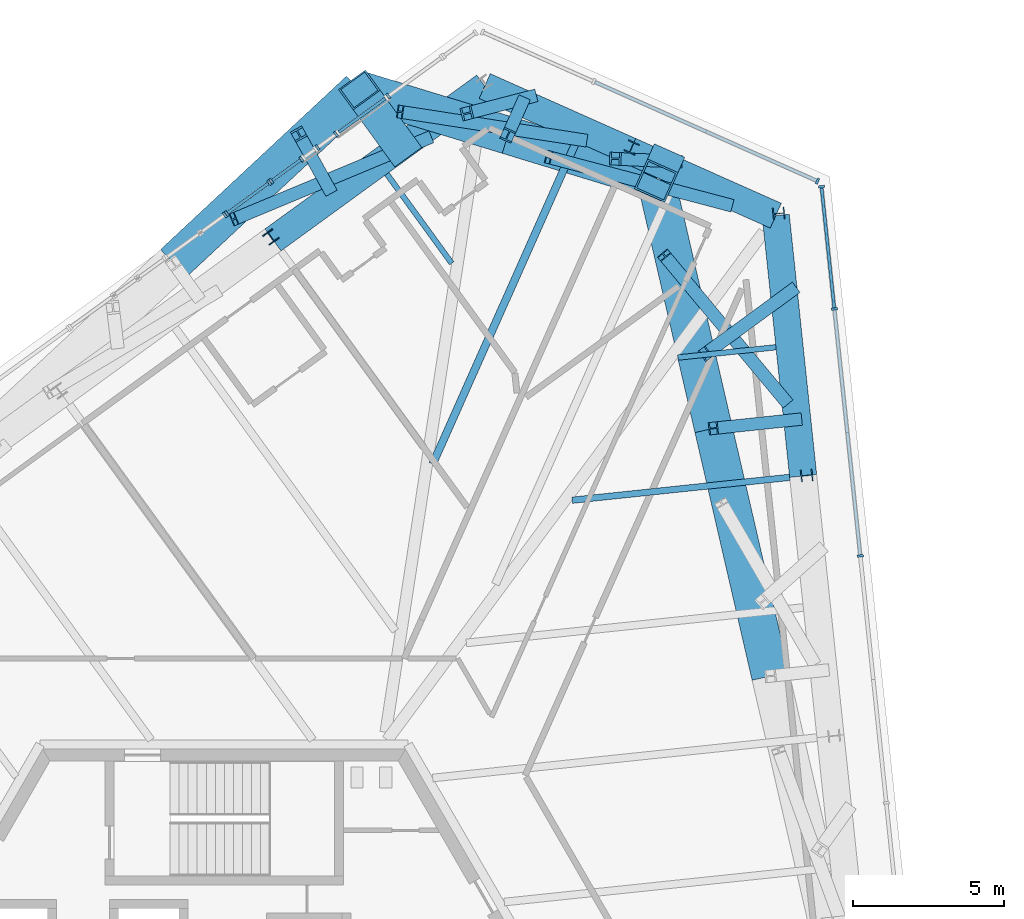
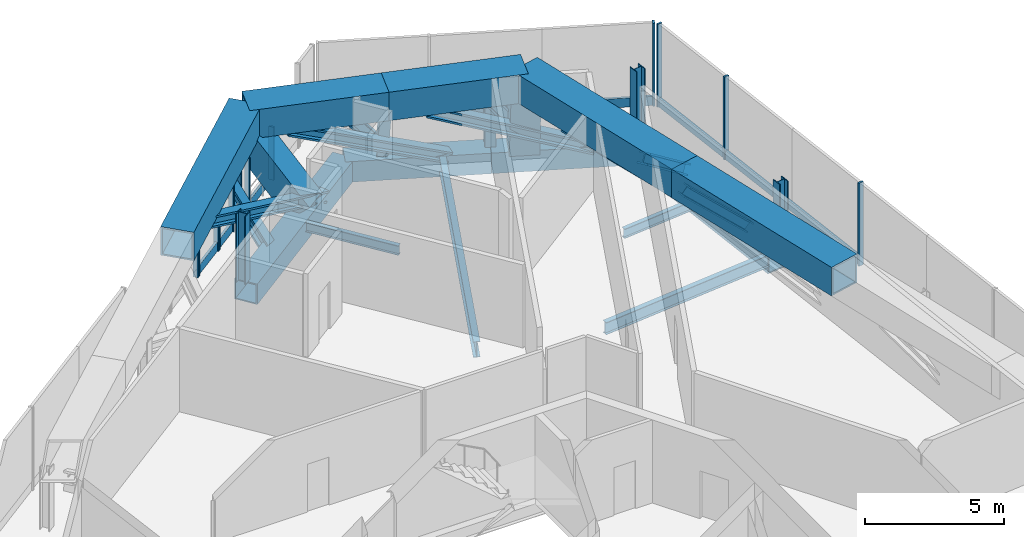
# One storey, part 8 of 30: 43 members, 4 beams, 8 elements without a shape of their own.
"""IFC4 building model written with IfcOpenShell, lengths in metres."""

from ifc_helpers import new_model, si_unit, direction, frame, origin, origin_2d, place, context, subcontext, project, spatial, rectangle, hollow_rectangle, i_section, extrude, source, transform, mapped, material, material_profile, profile_set, type_object, element, aggregate, save


model = new_model("IFC4")

# Units and contexts
model_context = context("Model", 3, precision=1e-05, world=origin(), true_north=direction((0.0, 1.0)))
body_context = subcontext(model_context, "Body", "Model", "MODEL_VIEW")
ifc_project = project(units=[si_unit("LENGTHUNIT", "METRE"), si_unit("AREAUNIT", "SQUARE_METRE"), si_unit("VOLUMEUNIT", "CUBIC_METRE"), si_unit("PLANEANGLEUNIT", "RADIAN"), si_unit("MASSUNIT", "GRAM", prefix="KILO")], contexts=[model_context])

# Site, building, storey
site_placement = place(None, origin())
site = spatial("IfcSite", under=ifc_project, at=site_placement, CompositionType="ELEMENT")
building_placement = place(site_placement, origin())
building = spatial("IfcBuilding", under=site, at=building_placement, Name="Triune Harvest Tower", CompositionType="ELEMENT")
storey_placement = place(building_placement, frame((0.0, 0.0, 94.5)))
storey = spatial("IfcBuildingStorey", under=building, at=storey_placement, Name="L23", CompositionType="ELEMENT", Elevation=94.5)

# Beams
ifc_material_1 = material(Name="Steel ASTM A992 Gr 50", Category="steel")
ifc_material_profile_1 = material_profile(ifc_material_1, i_section(OverallWidth=0.180908203125, OverallDepth=0.41650390625, WebThickness=0.010986328125, FlangeThickness=0.01806640625, at=origin_2d()), Name="W16x57")
ifc_profile_set_1 = profile_set([ifc_material_profile_1], Name="Steel ASTM A992 Gr 50")
beam_type_1 = type_object("IfcBeamType", Name="JT-1 Floor joist W16x57", PredefinedType="JOIST", material=ifc_profile_set_1)
beam_1_placement = place(storey_placement, frame((5.386474609375, 29.428955078125, -0.458251953125), z_axis=(0.587750374328, -0.809042333551, 0.0), x_axis=(0.809042333551, 0.587750374328, 0.0)))
element("IfcBeam", 1, at=beam_1_placement, inside=storey, type_object=beam_type_1, Name="beam/L23/JT14", PredefinedType="JOIST", context=body_context, shape_type="SweptSolid", body=[
    extrude(i_section(OverallWidth=0.180908203125, OverallDepth=0.41650390625, WebThickness=0.010986328125, FlangeThickness=0.01806640625, at=origin_2d()), origin(), (0.0, 0.0, 1.0), 3.65283203125),
])
ifc_material_2 = material(Name="Steel ASTM A992 Gr 50", Category="steel")
ifc_material_profile_2 = material_profile(ifc_material_2, i_section(OverallWidth=0.253662109375, OverallDepth=0.683349609375, WebThickness=0.012451171875, FlangeThickness=0.01904296875, at=origin_2d()), Name="W27x94")
ifc_profile_set_2 = profile_set([ifc_material_profile_2], Name="Steel ASTM A992 Gr 50")
beam_type_2 = type_object("IfcBeamType", Name="JT-4 Floor joist W27x94", PredefinedType="JOIST", material=ifc_profile_set_2)
beam_2_placement = place(storey_placement, frame((11.654296875, 30.497802734375, -0.591552734375), z_axis=(-0.406716321751, -0.913554505008, 0.0), x_axis=(0.913554505008, -0.406716321751, 0.0)))
element("IfcBeam", 2, at=beam_2_placement, inside=storey, type_object=beam_type_2, Name="beam/L23/JT13", PredefinedType="JOIST", context=body_context, shape_type="SweptSolid", body=[
    extrude(i_section(OverallWidth=0.253662109375, OverallDepth=0.683349609375, WebThickness=0.012451171875, FlangeThickness=0.01904296875, at=origin_2d()), origin(), (0.0, 0.0, 1.0), 11.68017578125),
])

# Member
ifc_material_3 = material(Name="Steel ASTM A572 Gr 50", Category="steel")
ifc_material_profile_3 = material_profile(ifc_material_3, hollow_rectangle(XDim=0.89990234375, YDim=0.89990234375, WallThickness=0.050048828125, at=origin_2d()), Name="Box 900x900x50")
ifc_profile_set_3 = profile_set([ifc_material_profile_3], Name="Steel ASTM A572 Gr 50")
member_type_1 = type_object("IfcMemberType", Name="TC-2 Belt truss chord Box 900x900x50", PredefinedType="CHORD", material=ifc_profile_set_3)
member_1_placement = place(storey_placement, frame((18.2607421875, 28.049072265625, -0.699951171875), z_axis=(-0.913540256506, 0.406748324819, 0.0), x_axis=(-0.406748324819, -0.913540256506, 0.0)))
element("IfcMember", 3, at=member_1_placement, inside=storey, type_object=member_type_1, Name="truss/L23/TCB7", PredefinedType="CHORD", context=body_context, shape_type="SweptSolid", body=[
    extrude(hollow_rectangle(XDim=0.89990234375, YDim=0.89990234375, WallThickness=0.050048828125, at=origin_2d()), origin(), (0.0, 0.0, 1.0), 5.273681640625),
])

# Curtain wall, member
ifc_material_4 = material(Name="Aluminium bronze anodised", Category="aluminium")
curtain_wall_type = type_object("IfcCurtainWallType", Name="CW-5 Plant louvre wall", PredefinedType="NOTDEFINED", material=ifc_material_4)
curtain_wall_1_placement = place(storey_placement, origin())
curtain_wall_1 = element("IfcCurtainWall", 4, at=curtain_wall_1_placement, inside=storey, type_object=curtain_wall_type, Name="CW-5 B2-F3 L23 run 201")
ifc_material_5 = material(Name="Aluminium bronze anodised", Category="aluminium")
ifc_material_profile_4 = material_profile(ifc_material_5, rectangle(XDim=0.10009765625, YDim=0.39990234375, at=origin_2d()), Name="TR-5 transom 100 x 400")
ifc_profile_set_4 = profile_set([ifc_material_profile_4], Name="Aluminium bronze anodised")
member_type_2 = type_object("IfcMemberType", Name="TR-5 transom 100 x 400", PredefinedType="USERDEFINED", material=ifc_profile_set_4)
member_2_placement = place(storey_placement, frame((5.335693359375, 31.9326171875, 0.199951171875), z_axis=(-0.80906428775, -0.587720153039, 0.0), x_axis=(0.587720153039, -0.80906428775, 0.0)))
member_2 = element("IfcMember", 5, at=member_2_placement, type_object=member_type_2, Name="CW-5 transom B2-F3 201.1", ObjectType="TRANSOM", PredefinedType="USERDEFINED", context=body_context, shape_type="SweptSolid", body=[
    extrude(rectangle(XDim=0.10009765625, YDim=0.39990234375, at=origin_2d()), origin(), (0.0, 0.0, 1.0), 1.897216796875),
])
aggregate(curtain_wall_1, [member_2])

curtain_wall_2_placement = place(storey_placement, origin())
curtain_wall_2 = element("IfcCurtainWall", 6, at=curtain_wall_2_placement, inside=storey, type_object=curtain_wall_type, Name="CW-5 B2-F3 L23 run 501")
member_3_placement = place(storey_placement, frame((2.530517578125, 29.89453125, 0.199951171875), z_axis=(-0.809000685585, -0.587807698762, 0.0), x_axis=(0.587807698762, -0.809000685585, 0.0)))
member_3 = element("IfcMember", 7, at=member_3_placement, type_object=member_type_2, Name="CW-5 transom B2-F3 501.1", ObjectType="TRANSOM", PredefinedType="USERDEFINED", context=body_context, shape_type="SweptSolid", body=[
    extrude(rectangle(XDim=0.10009765625, YDim=0.39990234375, at=origin_2d()), origin(), (0.0, 0.0, 1.0), 1.15673828125),
])

curtain_wall_3_placement = place(storey_placement, origin())
curtain_wall_3 = element("IfcCurtainWall", 8, at=curtain_wall_3_placement, inside=storey, type_object=curtain_wall_type, Name="CW-5 B2-F3 L23 run 601")
member_4_placement = place(storey_placement, frame((1.46533203125, 29.12060546875, 0.199951171875), z_axis=(-0.809028426751, -0.587769516655, 0.0), x_axis=(0.587769516655, -0.809028426751, 0.0)))
member_4 = element("IfcMember", 9, at=member_4_placement, type_object=member_type_2, Name="CW-5 transom B2-F3 601.1", ObjectType="TRANSOM", PredefinedType="USERDEFINED", context=body_context, shape_type="SweptSolid", body=[
    extrude(rectangle(XDim=0.10009765625, YDim=0.39990234375, at=origin_2d()), origin(), (0.0, 0.0, 1.0), 1.66064453125),
])

# Beams
ifc_material_6 = material(Name="Steel ASTM A992 Gr 50", Category="steel")
ifc_material_profile_5 = material_profile(ifc_material_6, i_section(OverallWidth=0.2099609375, OverallDepth=0.535888671875, WebThickness=0.010986328125, FlangeThickness=0.017333984375, at=origin_2d()), Name="W21x68")
ifc_profile_set_5 = profile_set([ifc_material_profile_5], Name="Steel ASTM A992 Gr 50")
beam_type_3 = type_object("IfcBeamType", Name="JT-2 Floor joist W21x68", PredefinedType="JOIST", material=ifc_profile_set_5)
shared_shape_1 = source(origin(), body_context, "Body", "SweptSolid", [
    extrude(i_section(OverallWidth=0.2099609375, OverallDepth=0.535888671875, WebThickness=0.010986328125, FlangeThickness=0.017333984375, at=origin_2d()), origin(), (0.0, 0.0, 1.0), 7.23876953125),
])
beam_3_placement = place(storey_placement, frame((18.718505859375, 19.38720703125, -0.51806640625), z_axis=(-0.994522995125, -0.10451799925, 0.0), x_axis=(0.10451799925, -0.994522995125, 0.0)))
element("IfcBeam", 10, at=beam_3_placement, inside=storey, type_object=beam_type_3, Name="beam/L23/JT10", PredefinedType="JOIST", context=body_context, shape_type="MappedRepresentation", body=[
    mapped(shared_shape_1, transform((0.0, 0.0, 0.0), scale=1.0)),
])
shared_shape_2 = source(origin(), body_context, "Body", "SweptSolid", [
    extrude(i_section(OverallWidth=0.180908203125, OverallDepth=0.41650390625, WebThickness=0.010986328125, FlangeThickness=0.01806640625, at=origin_2d()), origin(), (0.0, 0.0, 1.0), 3.264404296875),
])
beam_4_placement = place(storey_placement, frame((18.265869140625, 23.694580078125, -0.458251953125), z_axis=(-0.994527150692, -0.104478450107, 0.0), x_axis=(0.104478450107, -0.994527150692, 0.0)))
element("IfcBeam", 11, at=beam_4_placement, inside=storey, type_object=beam_type_1, Name="beam/L23/JT11", PredefinedType="JOIST", context=body_context, shape_type="MappedRepresentation", body=[
    mapped(shared_shape_2, transform((0.0, 0.0, 0.0), scale=1.0)),
])

# Members
ifc_material_7 = material(Name="Steel ASTM A992 Gr 50", Category="steel")
ifc_material_profile_6 = material_profile(ifc_material_7, i_section(OverallWidth=0.398681640625, OverallDepth=0.393798828125, WebThickness=0.022705078125, FlangeThickness=0.03662109375, at=origin_2d()), Name="W14x193")
ifc_profile_set_6 = profile_set([ifc_material_profile_6], Name="Steel ASTM A992 Gr 50")
member_type_3 = type_object("IfcMemberType", Name="WP-2 Roof edge post W14x193", PredefinedType="POST", material=ifc_profile_set_6)
shared_shape_3 = source(origin(), body_context, "Body", "SweptSolid", [
    extrude(i_section(OverallWidth=0.398681640625, OverallDepth=0.393798828125, WebThickness=0.022705078125, FlangeThickness=0.03662109375, at=origin_2d()), origin(), (0.0, 0.0, 1.0), 2.9755859375),
])
for number, where, z_axis, x_axis, name in (
    (12, (19.285400390625, 19.44677734375, -0.25), (0.0, 0.0, 1.0), (-0.104526727499, 0.994522077803, 0.0), "post/L23/W5"),
    (13, (18.35791015625, 28.11962890625, -0.25), (0.0, 0.0, 1.0), (-0.104526727499, 0.994522077803, 0.0), "post/L23/W6"),
    (14, (13.491943359375, 30.3037109375, -0.25), (0.0, 0.0, 1.0), (-0.913546877416, 0.406733454198, 0.0), "post/L23/W7"),
    (15, (1.54736328125, 27.344482421875, -0.25), (0.0, 0.0, 1.0), (-0.809016994375, -0.587785252292, 0.0), "post/L23/W9"),
):
    element("IfcMember", number, at=place(storey_placement, frame(where, z_axis=z_axis, x_axis=x_axis)), inside=storey, type_object=member_type_3, Name=name, PredefinedType="POST", context=body_context, shape_type="MappedRepresentation", body=[
        mapped(shared_shape_3, transform((0.0, 0.0, 0.0), scale=1.0)),
    ])
shared_shape_4 = source(origin(), body_context, "Body", "SweptSolid", [
    extrude(hollow_rectangle(XDim=0.89990234375, YDim=0.89990234375, WallThickness=0.050048828125, at=origin_2d()), origin(), (0.0, 0.0, 1.0), 8.662109375),
])
for number, where, z_axis, x_axis, name in (
    (16, (19.166015625, 19.434326171875, -0.699951171875), (-0.104508725265, 0.994523969718, 0.0), (-0.994523969718, -0.104508725265, 0.0), "truss/L23/TCB6"),
    (17, (8.625732421875, 32.3388671875, -0.699951171875), (-0.809012661611, -0.587791215785, 0.0), (0.587791215785, -0.809012661611, 0.0), "truss/L23/TCB9"),
):
    element("IfcMember", number, at=place(storey_placement, frame(where, z_axis=z_axis, x_axis=x_axis)), inside=storey, type_object=member_type_1, Name=name, PredefinedType="CHORD", context=body_context, shape_type="MappedRepresentation", body=[
        mapped(shared_shape_4, transform((0.0, 0.0, 0.0), scale=1.0)),
    ])
shared_shape_5 = source(origin(), body_context, "Body", "SweptSolid", [
    extrude(hollow_rectangle(XDim=0.89990234375, YDim=0.89990234375, WallThickness=0.050048828125, at=origin_2d()), origin(), (0.0, 0.0, 1.0), 5.273193359375),
])
member_5_placement = place(storey_placement, frame((13.443115234375, 30.194091796875, -0.699951171875), z_axis=(-0.91354979995, 0.406726889953, 0.0), x_axis=(-0.406726889953, -0.91354979995, 0.0)))
element("IfcMember", 18, at=member_5_placement, inside=storey, type_object=member_type_1, Name="truss/L23/TCB8", PredefinedType="CHORD", context=body_context, shape_type="MappedRepresentation", body=[
    mapped(shared_shape_5, transform((0.0, 0.0, 0.0), scale=1.0)),
])
ifc_material_8 = material(Name="Steel ASTM A572 Gr 50", Category="steel")
ifc_material_profile_7 = material_profile(ifc_material_8, hollow_rectangle(XDim=1.25, YDim=1.25, WallThickness=0.070068359375, at=origin_2d()), Name="Box 1250x1250x70")
ifc_profile_set_7 = profile_set([ifc_material_profile_7], Name="Steel ASTM A572 Gr 50")
member_type_4 = type_object("IfcMemberType", Name="TC-1 Belt truss chord Box 1250x1250x70", PredefinedType="CHORD", material=ifc_profile_set_7)
shared_shape_6 = source(origin(), body_context, "Body", "SweptSolid", [
    extrude(hollow_rectangle(XDim=1.25, YDim=1.25, WallThickness=0.070068359375, at=origin_2d()), origin(), (0.0, 0.0, 1.0), 8.414306640625),
])
for number, where, z_axis, x_axis, name in (
    (19, (18.087158203125, 12.8115234375, 3.014892578125), (-0.224950624774, 0.974370163959, 0.0), (-0.974370163959, -0.224950624774, 0.0), "truss/L23/TCT5"),
    (20, (16.1943359375, 21.01025390625, 3.014892578125), (-0.224950624774, 0.974370163959, 0.0), (-0.974370163959, -0.224950624774, 0.0), "truss/L23/TCT6"),
    (21, (4.47705078125, 32.212646484375, 3.014892578125), (-0.731353343594, -0.681998743997, 0.0), (0.681998743997, -0.731353343594, 0.0), "truss/L23/TCT9"),
):
    element("IfcMember", number, at=place(storey_placement, frame(where, z_axis=z_axis, x_axis=x_axis)), inside=storey, type_object=member_type_4, Name=name, PredefinedType="CHORD", context=body_context, shape_type="MappedRepresentation", body=[
        mapped(shared_shape_6, transform((0.0, 0.0, 0.0), scale=1.0)),
    ])
shared_shape_7 = source(origin(), body_context, "Body", "SweptSolid", [
    extrude(hollow_rectangle(XDim=1.25, YDim=1.25, WallThickness=0.070068359375, at=origin_2d()), origin(), (0.0, 0.0, 1.0), 5.13671875),
])
for number, where, z_axis, x_axis, name in (
    (22, (14.301513671875, 29.208984375, 3.014892578125), (-0.956295470528, 0.292402074289, 0.0), (-0.292402074289, -0.956295470528, 0.0), "truss/L23/TCT7"),
    (23, (9.389404296875, 30.7109375, 3.014892578125), (-0.956312822385, 0.292345319343, 0.0), (-0.292345319343, -0.956312822385, 0.0), "truss/L23/TCT8"),
):
    element("IfcMember", number, at=place(storey_placement, frame(where, z_axis=z_axis, x_axis=x_axis)), inside=storey, type_object=member_type_4, Name=name, PredefinedType="CHORD", context=body_context, shape_type="MappedRepresentation", body=[
        mapped(shared_shape_7, transform((0.0, 0.0, 0.0), scale=1.0)),
    ])
ifc_material_9 = material(Name="Steel ASTM A992 Gr 50", Category="steel")
ifc_material_profile_8 = material_profile(ifc_material_9, i_section(OverallWidth=0.411376953125, OverallDepth=0.434326171875, WebThickness=0.035888671875, FlangeThickness=0.057373046875, at=origin_2d()), Name="W14x311")
ifc_profile_set_8 = profile_set([ifc_material_profile_8], Name="Steel ASTM A992 Gr 50")
member_type_5 = type_object("IfcMemberType", Name="TV-1 Belt truss strut W14x311", PredefinedType="STRUT", material=ifc_profile_set_8)
shared_shape_8 = source(origin(), body_context, "Body", "SweptSolid", [
    extrude(i_section(OverallWidth=0.411376953125, OverallDepth=0.434326171875, WebThickness=0.035888671875, FlangeThickness=0.057373046875, at=origin_2d()), origin(), (0.0, 0.0, 1.0), 3.883056640625),
])
member_6_placement = place(storey_placement, frame((18.9697265625, 21.302001953125, -0.27490234375), z_axis=(-0.714755227423, -0.07513480795, 0.695327063694), x_axis=(0.104543610341, -0.99452030323, 0.0)))
element("IfcMember", 24, at=member_6_placement, inside=storey, type_object=member_type_5, Name="truss/L23/TS6", PredefinedType="STRUT", context=body_context, shape_type="MappedRepresentation", body=[
    mapped(shared_shape_8, transform((0.0, 0.0, 0.0), scale=1.0)),
])
ifc_material_10 = material(Name="Steel ASTM A572 Gr 50", Category="steel")
ifc_material_profile_9 = material_profile(ifc_material_10, hollow_rectangle(XDim=1.10009765625, YDim=1.10009765625, WallThickness=0.06005859375, at=origin_2d()), Name="Box 1100x1100x60")
ifc_profile_set_9 = profile_set([ifc_material_profile_9], Name="Steel ASTM A572 Gr 50")
member_type_6 = type_object("IfcMemberType", Name="TS-1 Belt truss raked strut Box 1100x1100x60", PredefinedType="STRUT", material=ifc_profile_set_9)
shared_shape_9 = source(origin(), body_context, "Body", "SweptSolid", [
    extrude(hollow_rectangle(XDim=1.10009765625, YDim=1.10009765625, WallThickness=0.06005859375, at=origin_2d()), origin(), (0.0, 0.0, 1.0), 2.755615234375),
])
member_7_placement = place(storey_placement, frame((14.525390625, 29.712158203125, -0.27490234375), z_axis=(-0.081245910816, -0.182603950046, 0.979823912447), x_axis=(0.913646948912, -0.406508613369, 0.0)))
element("IfcMember", 25, at=member_7_placement, inside=storey, type_object=member_type_6, Name="truss/L23/TS7", PredefinedType="STRUT", context=body_context, shape_type="MappedRepresentation", body=[
    mapped(shared_shape_9, transform((0.0, 0.0, 0.0), scale=1.0)),
])
shared_shape_10 = source(origin(), body_context, "Body", "SweptSolid", [
    extrude(i_section(OverallWidth=0.411376953125, OverallDepth=0.434326171875, WebThickness=0.035888671875, FlangeThickness=0.057373046875, at=origin_2d()), origin(), (0.0, 0.0, 1.0), 2.9453125),
])
member_8_placement = place(storey_placement, frame((9.867919921875, 31.785888671875, -0.27490234375), z_axis=(-0.16247276358, -0.364983458184, 0.916727700218), x_axis=(0.913571815297, -0.406677437652, 0.0)))
element("IfcMember", 26, at=member_8_placement, inside=storey, type_object=member_type_5, Name="truss/L23/TS8", PredefinedType="STRUT", context=body_context, shape_type="MappedRepresentation", body=[
    mapped(shared_shape_10, transform((0.0, 0.0, 0.0), scale=1.0)),
])
shared_shape_11 = source(origin(), body_context, "Body", "SweptSolid", [
    extrude(hollow_rectangle(XDim=1.10009765625, YDim=1.10009765625, WallThickness=0.06005859375, at=origin_2d()), origin(), (0.0, 0.0, 1.0), 3.570556640625),
])
member_9_placement = place(storey_placement, frame((5.8505859375, 30.322509765625, -0.27490234375), z_axis=(-0.384682595257, 0.52936591761, 0.756168649297), x_axis=(-0.808961949069, -0.587861008197, 0.0)))
element("IfcMember", 27, at=member_9_placement, inside=storey, type_object=member_type_6, Name="truss/L23/TS9", PredefinedType="STRUT", context=body_context, shape_type="MappedRepresentation", body=[
    mapped(shared_shape_11, transform((0.0, 0.0, 0.0), scale=1.0)),
])
ifc_material_11 = material(Name="Steel ASTM A992 Gr 50", Category="steel")
ifc_material_profile_10 = material_profile(ifc_material_11, i_section(OverallWidth=0.424072265625, OverallDepth=0.47509765625, WebThickness=0.0478515625, FlangeThickness=0.0771484375, at=origin_2d()), Name="W14x426")
ifc_profile_set_10 = profile_set([ifc_material_profile_10], Name="Steel ASTM A992 Gr 50")
member_type_7 = type_object("IfcMemberType", Name="TD-1 Belt truss diagonal W14x426", PredefinedType="BRACE", material=ifc_profile_set_10)
shared_shape_12 = source(origin(), body_context, "Body", "SweptSolid", [
    extrude(i_section(OverallWidth=0.424072265625, OverallDepth=0.47509765625, WebThickness=0.0478515625, FlangeThickness=0.0771484375, at=origin_2d()), origin(), (0.0, 0.0, 1.0), 7.51171875),
])
member_10_placement = place(storey_placement, frame((6.779541015625, 30.626708984375, -0.324951171875), z_axis=(-0.858887634984, -0.358167779366, 0.366098173029), x_axis=(0.384888165196, -0.922963217193, 0.0)))
element("IfcMember", 28, at=member_10_placement, inside=storey, type_object=member_type_7, Name="truss/L23/TD17", PredefinedType="BRACE", context=body_context, shape_type="MappedRepresentation", body=[
    mapped(shared_shape_12, transform((0.0, 0.0, 0.0), scale=1.0)),
])
shared_shape_13 = source(origin(), body_context, "Body", "SweptSolid", [
    extrude(i_section(OverallWidth=0.424072265625, OverallDepth=0.47509765625, WebThickness=0.0478515625, FlangeThickness=0.0771484375, at=origin_2d()), origin(), (0.0, 0.0, 1.0), 6.8876953125),
])
member_11_placement = place(storey_placement, frame((18.6064453125, 21.88916015625, -0.324951171875), z_axis=(-0.586706285275, 0.704529611293, 0.399266529564), x_axis=(-0.768436726615, -0.63992577475, 0.0)))
element("IfcMember", 29, at=member_11_placement, inside=storey, type_object=member_type_7, Name="truss/L23/TD11", PredefinedType="BRACE", context=body_context, shape_type="MappedRepresentation", body=[
    mapped(shared_shape_13, transform((0.0, 0.0, 0.0), scale=1.0)),
])
shared_shape_14 = source(origin(), body_context, "Body", "SweptSolid", [
    extrude(i_section(OverallWidth=0.424072265625, OverallDepth=0.47509765625, WebThickness=0.0478515625, FlangeThickness=0.0771484375, at=origin_2d()), origin(), (0.0, 0.0, 1.0), 4.51611328125),
])
member_12_placement = place(storey_placement, frame((18.8203125, 25.59423828125, -0.324951171875), z_axis=(-0.639920892713, -0.468709482117, 0.608943899258), x_axis=(0.5908996817, -0.806745044092, 0.0)))
element("IfcMember", 30, at=member_12_placement, inside=storey, type_object=member_type_7, Name="truss/L23/TD12", PredefinedType="BRACE", context=body_context, shape_type="MappedRepresentation", body=[
    mapped(shared_shape_14, transform((0.0, 0.0, 0.0), scale=1.0)),
])
shared_shape_15 = source(origin(), body_context, "Body", "SweptSolid", [
    extrude(i_section(OverallWidth=0.424072265625, OverallDepth=0.47509765625, WebThickness=0.0478515625, FlangeThickness=0.0771484375, at=origin_2d()), origin(), (0.0, 0.0, 1.0), 6.77880859375),
])
member_13_placement = place(storey_placement, frame((16.73095703125, 28.40185546875, -0.324951171875), z_axis=(-0.883627059273, 0.233737094546, 0.405672516636), x_axis=(-0.255724688087, -0.966749649032, 0.0)))
element("IfcMember", 31, at=member_13_placement, inside=storey, type_object=member_type_7, Name="truss/L23/TD13", PredefinedType="BRACE", context=body_context, shape_type="MappedRepresentation", body=[
    mapped(shared_shape_15, transform((0.0, 0.0, 0.0), scale=1.0)),
])
shared_shape_16 = source(origin(), body_context, "Body", "SweptSolid", [
    extrude(i_section(OverallWidth=0.424072265625, OverallDepth=0.47509765625, WebThickness=0.0478515625, FlangeThickness=0.0771484375, at=origin_2d()), origin(), (0.0, 0.0, 1.0), 3.415283203125),
])
member_14_placement = place(storey_placement, frame((14.972900390625, 29.84130859375, -0.324951171875), z_axis=(-0.592343341974, 0.027022179974, 0.805232368331), x_axis=(-0.045571721487, -0.998961069412, 0.0)))
element("IfcMember", 32, at=member_14_placement, inside=storey, type_object=member_type_7, Name="truss/L23/TD14", PredefinedType="BRACE", context=body_context, shape_type="MappedRepresentation", body=[
    mapped(shared_shape_16, transform((0.0, 0.0, 0.0), scale=1.0)),
])
shared_shape_17 = source(origin(), body_context, "Body", "SweptSolid", [
    extrude(i_section(OverallWidth=0.424072265625, OverallDepth=0.47509765625, WebThickness=0.0478515625, FlangeThickness=0.0771484375, at=origin_2d()), origin(), (0.0, 0.0, 1.0), 6.743408203125),
])
member_15_placement = place(storey_placement, frame((11.913330078125, 30.546630859375, -0.324951171875), z_axis=(-0.902330916898, 0.13960550558, 0.40781027356), x_axis=(-0.152897380964, -0.988242071, 0.0)))
element("IfcMember", 33, at=member_15_placement, inside=storey, type_object=member_type_7, Name="truss/L23/TD15", PredefinedType="BRACE", context=body_context, shape_type="MappedRepresentation", body=[
    mapped(shared_shape_17, transform((0.0, 0.0, 0.0), scale=1.0)),
])
shared_shape_18 = source(origin(), body_context, "Body", "SweptSolid", [
    extrude(i_section(OverallWidth=0.424072265625, OverallDepth=0.47509765625, WebThickness=0.0478515625, FlangeThickness=0.0771484375, at=origin_2d()), origin(), (0.0, 0.0, 1.0), 3.514404296875),
])
member_16_placement = place(storey_placement, frame((10.155517578125, 31.986083984375, -0.324951171875), z_axis=(-0.602636430471, -0.156650737834, 0.782489539231), x_axis=(0.251581600499, -0.967836090612, 0.0)))
element("IfcMember", 34, at=member_16_placement, inside=storey, type_object=member_type_7, Name="truss/L23/TD16", PredefinedType="BRACE", context=body_context, shape_type="MappedRepresentation", body=[
    mapped(shared_shape_18, transform((0.0, 0.0, 0.0), scale=1.0)),
])
shared_shape_19 = source(origin(), body_context, "Body", "SweptSolid", [
    extrude(i_section(OverallWidth=0.424072265625, OverallDepth=0.47509765625, WebThickness=0.0478515625, FlangeThickness=0.0771484375, at=origin_2d()), origin(), (0.0, 0.0, 1.0), 3.428466796875),
])
member_17_placement = place(storey_placement, frame((3.464111328125, 28.95947265625, -0.324951171875), z_axis=(-0.289262803265, 0.522410616631, 0.802131023137), x_axis=(-0.874842672676, -0.484407161452, 0.0)))
element("IfcMember", 35, at=member_17_placement, inside=storey, type_object=member_type_7, Name="truss/L23/TD18", PredefinedType="BRACE", context=body_context, shape_type="MappedRepresentation", body=[
    mapped(shared_shape_19, transform((0.0, 0.0, 0.0), scale=1.0)),
])

# Curtain wall, member
curtain_wall_4_placement = place(storey_placement, origin())
curtain_wall_4 = element("IfcCurtainWall", 36, at=curtain_wall_4_placement, inside=storey, type_object=curtain_wall_type, Name="CW-5 B2-F3 L23 run 101")
ifc_material_12 = material(Name="Aluminium bronze anodised", Category="aluminium")
ifc_material_profile_11 = material_profile(ifc_material_12, rectangle(XDim=0.199951171875, YDim=0.080078125, at=origin_2d()), Name="MU-5 mullion 80 x 200")
ifc_profile_set_11 = profile_set([ifc_material_profile_11], Name="Aluminium bronze anodised")
member_type_8 = type_object("IfcMemberType", Name="MU-5 mullion 80 x 200", PredefinedType="MULLION", material=ifc_profile_set_11)
shared_shape_20 = source(origin(), body_context, "Body", "SweptSolid", [
    extrude(rectangle(XDim=0.199951171875, YDim=0.080078125, at=origin_2d()), origin(), (0.0, 0.0, 1.0), 2.330078125),
])
member_18_placement = place(storey_placement, frame((5.432861328125, 32.003173828125, 0.0), z_axis=(0.0, 0.0, 1.0), x_axis=(0.587791087964, -0.809012754479, 0.0)))
member_18 = element("IfcMember", 37, at=member_18_placement, type_object=member_type_8, Name="CW-5 mullion B2-F3 101.2", PredefinedType="MULLION", context=body_context, shape_type="MappedRepresentation", body=[
    mapped(shared_shape_20, transform((0.0, 0.0, 0.0), scale=1.0)),
])
aggregate(curtain_wall_4, [member_18])

# Curtain wall, members
curtain_wall_5_placement = place(storey_placement, origin())
curtain_wall_5 = element("IfcCurtainWall", 38, at=curtain_wall_5_placement, inside=storey, type_object=curtain_wall_type, Name="CW-5 B2-F3 L23 run 301")
member_19_placement = place(storey_placement, frame((3.703857421875, 30.7470703125, 0.0), z_axis=(0.0, 0.0, 1.0), x_axis=(0.587795216725, -0.809009754697, 0.0)))
member_19 = element("IfcMember", 39, at=member_19_placement, type_object=member_type_8, Name="CW-5 mullion B2-F3 301.1", PredefinedType="MULLION", context=body_context, shape_type="MappedRepresentation", body=[
    mapped(shared_shape_20, transform((0.0, 0.0, 0.0), scale=1.0)),
])
member_20_placement = place(storey_placement, frame((3.091064453125, 30.302001953125, 0.0), z_axis=(0.0, 0.0, 1.0), x_axis=(0.587795216725, -0.809009754697, 0.0)))
member_20 = element("IfcMember", 40, at=member_20_placement, type_object=member_type_8, Name="CW-5 mullion B2-F3 301.2", PredefinedType="MULLION", context=body_context, shape_type="MappedRepresentation", body=[
    mapped(shared_shape_20, transform((0.0, 0.0, 0.0), scale=1.0)),
])
aggregate(curtain_wall_5, [member_19, member_20])

# Member
member_21_placement = place(storey_placement, frame((2.56298828125, 29.91796875, 0.0), z_axis=(0.0, 0.0, 1.0), x_axis=(0.587792332679, -0.809011850126, 0.0)))
member_21 = element("IfcMember", 41, at=member_21_placement, type_object=member_type_8, Name="CW-5 mullion B2-F3 501.1", PredefinedType="MULLION", context=body_context, shape_type="MappedRepresentation", body=[
    mapped(shared_shape_20, transform((0.0, 0.0, 0.0), scale=1.0)),
])

member_22_placement = place(storey_placement, frame((1.562255859375, 29.191162109375, 0.0), z_axis=(0.0, 0.0, 1.0), x_axis=(0.587792332679, -0.809011850126, 0.0)))
member_22 = element("IfcMember", 42, at=member_22_placement, type_object=member_type_8, Name="CW-5 mullion B2-F3 501.2", PredefinedType="MULLION", context=body_context, shape_type="MappedRepresentation", body=[
    mapped(shared_shape_20, transform((0.0, 0.0, 0.0), scale=1.0)),
])

aggregate(curtain_wall_2, [member_21, member_22, member_3])

# Curtain wall, member
curtain_wall_6_placement = place(storey_placement, origin())
curtain_wall_6 = element("IfcCurtainWall", 43, at=curtain_wall_6_placement, inside=storey, type_object=curtain_wall_type, Name="CW-5 B2-F3 L23 run 701")
member_23_placement = place(storey_placement, frame((0.024658203125, 28.073974609375, 0.0), z_axis=(0.0, 0.0, 1.0), x_axis=(0.587796316508, -0.809008955636, 0.0)))
member_23 = element("IfcMember", 44, at=member_23_placement, type_object=member_type_8, Name="CW-5 mullion B2-F3 701.1", PredefinedType="MULLION", context=body_context, shape_type="MappedRepresentation", body=[
    mapped(shared_shape_20, transform((0.0, 0.0, 0.0), scale=1.0)),
])
aggregate(curtain_wall_6, [member_23])

# Curtain wall, members
curtain_wall_7_placement = place(storey_placement, origin())
curtain_wall_7 = element("IfcCurtainWall", 45, at=curtain_wall_7_placement, inside=storey, type_object=curtain_wall_type, Name="CW-5 B2-F1 L23 run 1501")
shared_shape_21 = source(origin(), body_context, "Body", "SweptSolid", [
    extrude(rectangle(XDim=0.199951171875, YDim=0.080078125, at=origin_2d()), origin(), (0.0, 0.0, 1.0), 3.639892578125),
])
member_24_placement = place(storey_placement, frame((21.058349609375, 16.78759765625, 0.0), z_axis=(0.0, 0.0, 1.0), x_axis=(-0.994521914318, -0.104528282973, 0.0)))
member_24 = element("IfcMember", 46, at=member_24_placement, type_object=member_type_8, Name="CW-5 mullion B2-F1 1501.7", PredefinedType="MULLION", context=body_context, shape_type="MappedRepresentation", body=[
    mapped(shared_shape_21, transform((0.0, 0.0, 0.0), scale=1.0)),
])
member_25_placement = place(storey_placement, frame((20.19921875, 24.9619140625, 0.0), z_axis=(0.0, 0.0, 1.0), x_axis=(-0.994521914318, -0.104528282973, 0.0)))
member_25 = element("IfcMember", 47, at=member_25_placement, type_object=member_type_8, Name="CW-5 mullion B2-F1 1501.9", PredefinedType="MULLION", context=body_context, shape_type="MappedRepresentation", body=[
    mapped(shared_shape_21, transform((0.0, 0.0, 0.0), scale=1.0)),
])
member_26_placement = place(storey_placement, frame((19.773681640625, 29.00927734375, 0.0), z_axis=(0.0, 0.0, 1.0), x_axis=(-0.994521914318, -0.104528282973, 0.0)))
member_26 = element("IfcMember", 48, at=member_26_placement, type_object=member_type_8, Name="CW-5 mullion B2-F1 1501.10", PredefinedType="MULLION", context=body_context, shape_type="MappedRepresentation", body=[
    mapped(shared_shape_21, transform((0.0, 0.0, 0.0), scale=1.0)),
])

# Curtain wall, member
curtain_wall_8_placement = place(storey_placement, origin())
curtain_wall_8 = element("IfcCurtainWall", 49, at=curtain_wall_8_placement, inside=storey, type_object=curtain_wall_type, Name="CW-5 B2-F2 L23 run 1")
member_27_placement = place(storey_placement, frame((19.641357421875, 29.19140625, 0.0), z_axis=(0.0, 0.0, 1.0), x_axis=(-0.406733978386, -0.913546644034, 0.0)))
member_27 = element("IfcMember", 50, at=member_27_placement, type_object=member_type_8, Name="CW-5 mullion B2-F2 1.1", PredefinedType="MULLION", context=body_context, shape_type="MappedRepresentation", body=[
    mapped(shared_shape_21, transform((0.0, 0.0, 0.0), scale=1.0)),
])

# Member
shared_shape_22 = source(origin(), body_context, "Body", "SweptSolid", [
    extrude(rectangle(XDim=0.10009765625, YDim=0.39990234375, at=origin_2d()), origin(), (0.0, 0.0, 1.0), 8.139404296875),
])
member_28_placement = place(storey_placement, frame((21.05419921875, 16.827392578125, 0.199951171875), z_axis=(-0.104533328008, 0.994521384051, 0.0), x_axis=(-0.994521384051, -0.104533328008, 0.0)))
member_28 = element("IfcMember", 51, at=member_28_placement, type_object=member_type_2, Name="CW-5 transom B2-F1 1501.4", ObjectType="TRANSOM", PredefinedType="USERDEFINED", context=body_context, shape_type="MappedRepresentation", body=[
    mapped(shared_shape_22, transform((0.0, 0.0, 0.0), scale=1.0)),
])

shared_shape_23 = source(origin(), body_context, "Body", "SweptSolid", [
    extrude(rectangle(XDim=0.10009765625, YDim=0.39990234375, at=origin_2d()), origin(), (0.0, 0.0, 1.0), 3.98974609375),
])
member_29_placement = place(storey_placement, frame((20.195068359375, 25.001708984375, 0.199951171875), z_axis=(-0.104519140464, 0.99452287519, 0.0), x_axis=(-0.99452287519, -0.104519140464, 0.0)))
member_29 = element("IfcMember", 52, at=member_29_placement, type_object=member_type_2, Name="CW-5 transom B2-F1 1501.5", ObjectType="TRANSOM", PredefinedType="USERDEFINED", context=body_context, shape_type="MappedRepresentation", body=[
    mapped(shared_shape_23, transform((0.0, 0.0, 0.0), scale=1.0)),
])

aggregate(curtain_wall_7, [member_24, member_25, member_26, member_28, member_29])

shared_shape_24 = source(origin(), body_context, "Body", "SweptSolid", [
    extrude(rectangle(XDim=0.10009765625, YDim=0.39990234375, at=origin_2d()), origin(), (0.0, 0.0, 1.0), 8.02685546875),
])
member_30_placement = place(storey_placement, frame((19.60498046875, 29.207763671875, 0.199951171875), z_axis=(-0.913555502051, 0.406714082216, 0.0), x_axis=(-0.406714082216, -0.913555502051, 0.0)))
member_30 = element("IfcMember", 53, at=member_30_placement, type_object=member_type_2, Name="CW-5 transom B2-F2 1.1", ObjectType="TRANSOM", PredefinedType="USERDEFINED", context=body_context, shape_type="MappedRepresentation", body=[
    mapped(shared_shape_24, transform((0.0, 0.0, 0.0), scale=1.0)),
])

aggregate(curtain_wall_8, [member_27, member_30])

shared_shape_25 = source(origin(), body_context, "Body", "SweptSolid", [
    extrude(rectangle(XDim=0.199951171875, YDim=0.080078125, at=origin_2d()), origin(), (0.0, 0.0, 1.0), 1.977294921875),
])
member_31_placement = place(storey_placement, frame((1.49755859375, 29.14404296875, 0.0), z_axis=(0.0, 0.0, 1.0), x_axis=(0.587776448191, -0.809023390856, 0.0)))
member_31 = element("IfcMember", 54, at=member_31_placement, type_object=member_type_8, Name="CW-5 mullion B2-F3 601.1", PredefinedType="MULLION", context=body_context, shape_type="MappedRepresentation", body=[
    mapped(shared_shape_25, transform((0.0, 0.0, 0.0), scale=1.0)),
])

member_32_placement = place(storey_placement, frame((0.08935546875, 28.12109375, 0.0), z_axis=(0.0, 0.0, 1.0), x_axis=(0.587776448191, -0.809023390856, 0.0)))
member_32 = element("IfcMember", 55, at=member_32_placement, type_object=member_type_8, Name="CW-5 mullion B2-F3 601.2", PredefinedType="MULLION", context=body_context, shape_type="MappedRepresentation", body=[
    mapped(shared_shape_25, transform((0.0, 0.0, 0.0), scale=1.0)),
])

aggregate(curtain_wall_3, [member_31, member_32, member_4])

save(model, "model.ifc")
